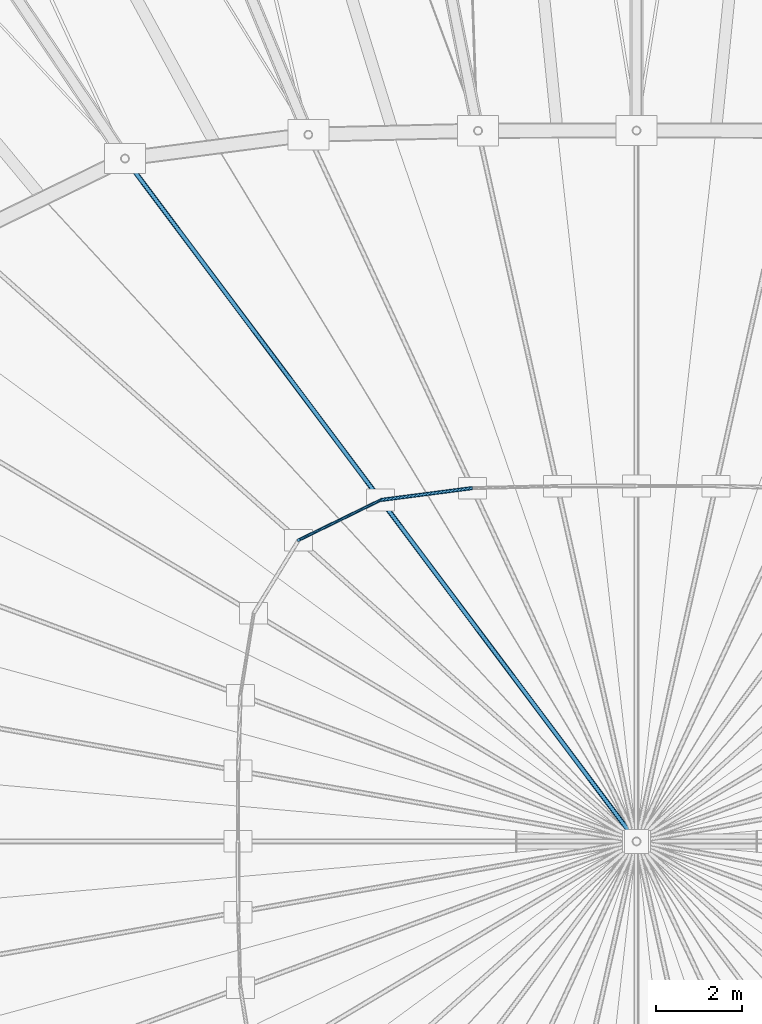
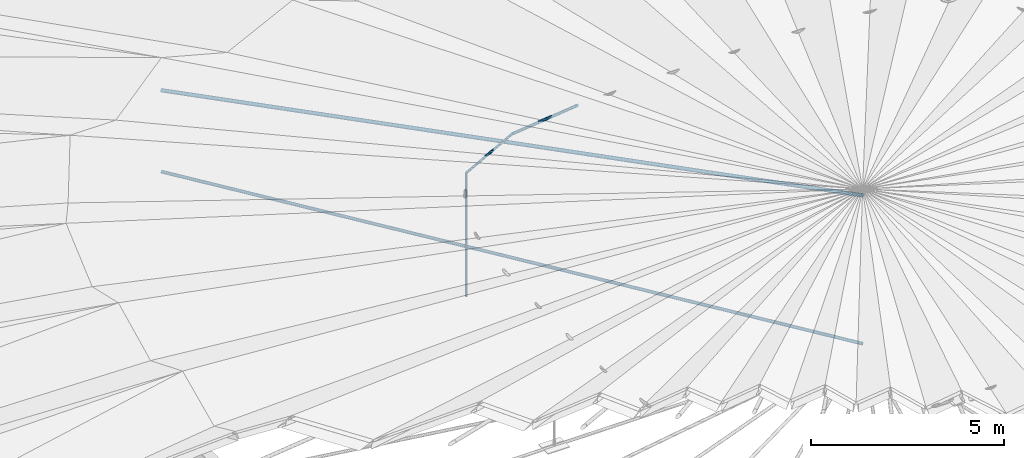
# One storey, part 14 of 41: 5 members.
"""IFC4 building model written with IfcOpenShell, lengths in metres."""

from ifc_helpers import new_model, si_unit, direction, frame, origin, origin_2d, place, context, subcontext, project, spatial, circle, extrude, material, material_profile, profile_set, type_object, element, save


model = new_model("IFC4")

# Units and contexts
model_context = context("Model", 3, precision=1e-05, world=origin(), true_north=direction((0.0, 1.0)))
body_context = subcontext(model_context, "Body", "Model", "MODEL_VIEW")
ifc_project = project(units=[si_unit("LENGTHUNIT", "METRE"), si_unit("AREAUNIT", "SQUARE_METRE"), si_unit("VOLUMEUNIT", "CUBIC_METRE"), si_unit("PLANEANGLEUNIT", "RADIAN"), si_unit("MASSUNIT", "GRAM", prefix="KILO")], contexts=[model_context])

# Site, building, storey
site_placement = place(None, origin())
site = spatial("IfcSite", under=ifc_project, at=site_placement, CompositionType="ELEMENT")
building_placement = place(site_placement, origin())
building = spatial("IfcBuilding", under=site, at=building_placement, Name="Luwafu Chhajja Arena", CompositionType="ELEMENT")
storey_placement = place(building_placement, frame((0.0, 0.0, 29.699951171875)))
storey = spatial("IfcBuildingStorey", under=building, at=storey_placement, Name="RF", CompositionType="ELEMENT", Elevation=29.699951171875)

# Members
ifc_material = material(Name="Steel S460", Category="steel")
ifc_material_profile_1 = material_profile(ifc_material, circle(Radius=0.04248046875, at=origin_2d()), Name="CABLE D85")
ifc_profile_set_1 = profile_set([ifc_material_profile_1], Name="Steel S460")
member_type_1 = type_object("IfcMemberType", Name="Oculus Hoop Tie Cable D85", PredefinedType="USERDEFINED", material=ifc_profile_set_1)
member_1_placement = place(storey_placement, frame((95.190673828125, 57.7021484375, 8.02001953125), z_axis=(-0.991627668784, -0.129130037181, 0.0), x_axis=(0.129130037181, -0.991627668784, 0.0)))
element("IfcMember", 1, at=member_1_placement, inside=storey, type_object=member_type_1, Name="Cable net hoop cable CBH-11", ObjectType="CABLE", PredefinedType="USERDEFINED", context=body_context, shape_type="SweptSolid", body=[
    extrude(circle(Radius=0.04248046875, at=origin_2d()), origin(), (0.0, 0.0, 1.0), 2.14599609375),
])
ifc_material_profile_2 = material_profile(ifc_material, circle(Radius=0.054931640625, at=origin_2d()), Name="CABLE D110")
ifc_profile_set_2 = profile_set([ifc_material_profile_2], Name="Steel S460")
member_type_2 = type_object("IfcMemberType", Name="Oculus Radial Main Cable D110", PredefinedType="USERDEFINED", material=ifc_profile_set_2)
member_2_placement = place(storey_placement, frame((87.125732421875, 65.35009765625, 6.679931640625), z_axis=(0.596163636686, -0.795775554022, 0.106443346033), x_axis=(0.800322370403, 0.599569932062, 0.0)))
element("IfcMember", 2, at=member_2_placement, inside=storey, type_object=member_type_2, Name="Cable net main cable CBM-12", ObjectType="CABLE", PredefinedType="USERDEFINED", context=body_context, shape_type="SweptSolid", body=[
    extrude(circle(Radius=0.054931640625, at=origin_2d()), origin(), (0.0, 0.0, 1.0), 19.917724609375),
])
ifc_material_profile_3 = material_profile(ifc_material, circle(Radius=0.047607421875, at=origin_2d()), Name="CABLE D95")
ifc_profile_set_3 = profile_set([ifc_material_profile_3], Name="Steel S460")
member_type_3 = type_object("IfcMemberType", Name="Oculus Radial Stabilizing Cable D95", PredefinedType="USERDEFINED", material=ifc_profile_set_3)
member_3_placement = place(storey_placement, frame((87.125732421875, 65.35009765625, 4.10009765625), z_axis=(0.599569932062, -0.800322370403, 0.0), x_axis=(0.800322370403, 0.599569932062, 0.0)))
element("IfcMember", 3, at=member_3_placement, inside=storey, type_object=member_type_3, Name="Cable net radial split stabilizing cable CBS-12", ObjectType="CABLE", PredefinedType="USERDEFINED", context=body_context, shape_type="SweptSolid", body=[
    extrude(circle(Radius=0.047607421875, at=origin_2d()), origin(), (0.0, 0.0, 1.0), 19.8046875),
])
ifc_material_profile_4 = material_profile(ifc_material, circle(Radius=0.034912109375, at=origin_2d()), Name="CABLE D70")
ifc_profile_set_4 = profile_set([ifc_material_profile_4], Name="Steel S460")
member_type_4 = type_object("IfcMemberType", Name="Oculus Secondary Tie Cable D70", PredefinedType="USERDEFINED", material=ifc_profile_set_4)
member_4_placement = place(storey_placement, frame((93.062744140625, 57.425048828125, 8.02001953125), z_axis=(-0.89864668968, -0.438673143841, 0.0), x_axis=(0.438673143841, -0.89864668968, 0.0)))
element("IfcMember", 4, at=member_4_placement, inside=storey, type_object=member_type_4, Name="Cable net hoop cable CBH-12", ObjectType="CABLE", PredefinedType="USERDEFINED", context=body_context, shape_type="SweptSolid", body=[
    extrude(circle(Radius=0.034912109375, at=origin_2d()), origin(), (0.0, 0.0, 1.0), 2.120361328125),
])
member_5_placement = place(storey_placement, frame((91.1572265625, 56.494873046875, 4.10009765625), z_axis=(0.0, 0.0, 1.0), x_axis=(1.0, 0.0, 0.0)))
element("IfcMember", 5, at=member_5_placement, inside=storey, type_object=member_type_4, Name="Cable net vertical hanger tie CBT-04", ObjectType="CABLE", PredefinedType="USERDEFINED", context=body_context, shape_type="SweptSolid", body=[
    extrude(circle(Radius=0.034912109375, at=origin_2d()), origin(), (0.0, 0.0, 1.0), 3.919921875),
])

save(model, "model.ifc")
